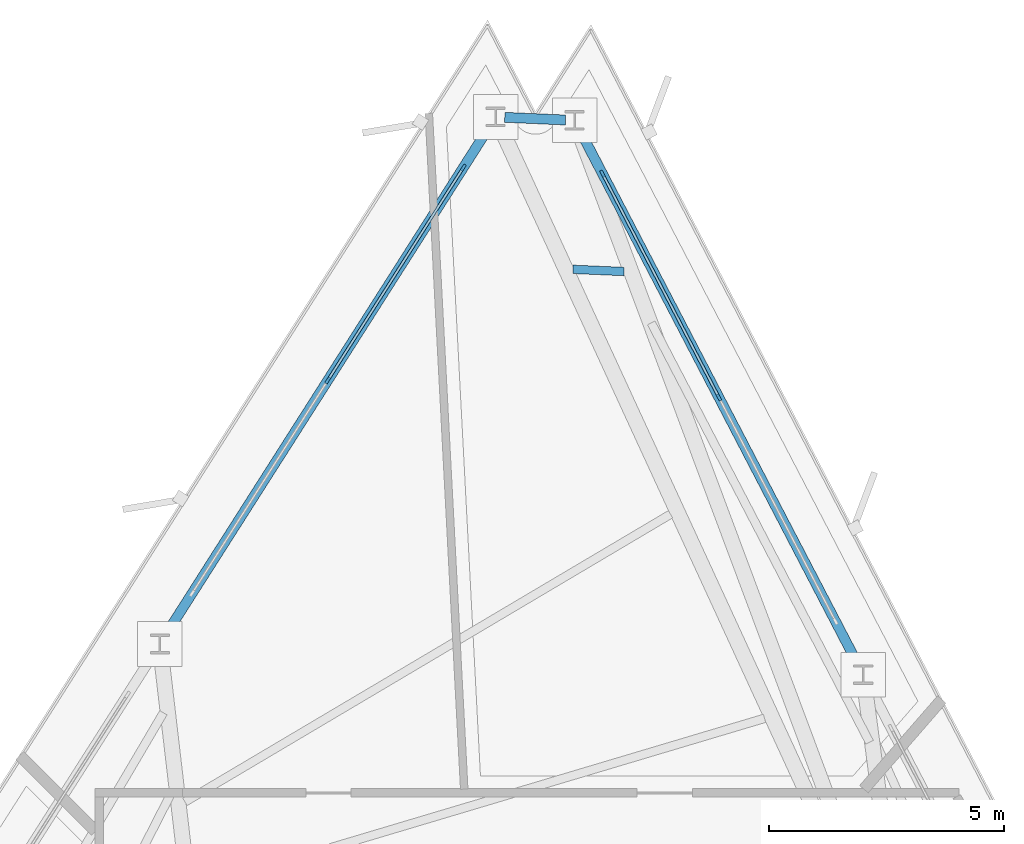
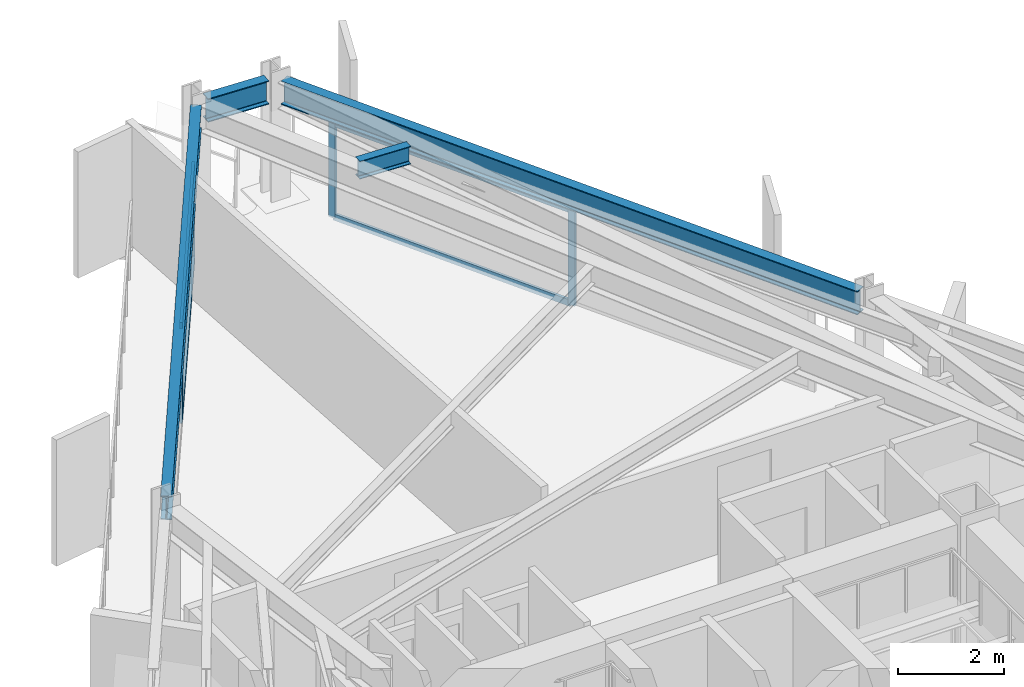
# One storey, part 6 of 12: 8 members, 4 beams, 2 elements without a shape of their own.
"""IFC4 building model written with IfcOpenShell, lengths in metres."""

from ifc_helpers import new_model, si_unit, direction, frame, origin, origin_2d, place, context, subcontext, project, spatial, rectangle, i_section, extrude, material, layer, layer_set, material_profile, profile_set, type_object, element, aggregate, save


model = new_model("IFC4")

# Units and contexts
model_context = context("Model", 3, precision=1e-05, world=origin(), true_north=direction((0.0, 1.0)))
body_context = subcontext(model_context, "Body", "Model", "MODEL_VIEW")
ifc_project = project(units=[si_unit("LENGTHUNIT", "METRE"), si_unit("AREAUNIT", "SQUARE_METRE"), si_unit("VOLUMEUNIT", "CUBIC_METRE"), si_unit("PLANEANGLEUNIT", "RADIAN"), si_unit("MASSUNIT", "GRAM", prefix="KILO")], contexts=[model_context])

# Site, building, storey
site_placement = place(None, origin())
site = spatial("IfcSite", under=ifc_project, at=site_placement, CompositionType="ELEMENT")
building_placement = place(site_placement, origin())
building = spatial("IfcBuilding", under=site, at=building_placement, Name="Rocaltana Carrier Exchange", CompositionType="ELEMENT")
storey_placement = place(building_placement, frame((0.0, 0.0, 125.919921875)))
storey = spatial("IfcBuildingStorey", under=building, at=storey_placement, Name="L39", CompositionType="ELEMENT", Elevation=125.919921875)

# Curtain wall, members
ifc_material_1 = material(Name="Aluminium 6063-T6", Category="aluminium")
ifc_layer = layer(ifc_material_1, 0.14990234375)
ifc_layer_set = layer_set([ifc_layer], Name="Aluminium 6063-T6")
curtain_wall_type = type_object("IfcCurtainWallType", Name="Mid-Tower Unitised Curtain Wall CW-03", PredefinedType="NOTDEFINED", material=ifc_layer_set)
curtain_wall_1_placement = place(storey_placement, origin())
curtain_wall_1 = element("IfcCurtainWall", 1, at=curtain_wall_1_placement, inside=storey, type_object=curtain_wall_type, Name="L39 CW-03 Run CW-L39-F1S3", PredefinedType="NOTDEFINED")
ifc_material_2 = material(Name="Aluminium 6063-T6", Category="aluminium")
ifc_material_profile_1 = material_profile(ifc_material_2, rectangle(XDim=0.06005859375, YDim=0.14990234375, at=origin_2d()), Name="AL-60X150")
ifc_profile_set_1 = profile_set([ifc_material_profile_1], Name="Aluminium 6063-T6")
member_type_1 = type_object("IfcMemberType", Name="CW-03 Mullion AL-60X150", PredefinedType="MULLION", material=ifc_profile_set_1)
member_1_placement = place(storey_placement, frame((4.938232421875, 17.56494140625, 0.0), z_axis=(0.0, 0.0, 1.0), x_axis=(-0.887007955385, -0.461754141383, 0.0)))
member_1 = element("IfcMember", 2, at=member_1_placement, type_object=member_type_1, Name="CW-03 mullion 2", PredefinedType="MULLION", context=body_context, shape_type="SweptSolid", body=[
    extrude(rectangle(XDim=0.06005859375, YDim=0.14990234375, at=origin_2d()), origin(), (0.0, 0.0, 1.0), 2.218017578125),
])
member_2_placement = place(storey_placement, frame((2.458740234375, 22.328125, 0.0), z_axis=(0.0, 0.0, 1.0), x_axis=(-0.887007955385, -0.461754141383, 0.0)))
member_2 = element("IfcMember", 3, at=member_2_placement, type_object=member_type_1, Name="CW-03 mullion 3", PredefinedType="MULLION", context=body_context, shape_type="SweptSolid", body=[
    extrude(rectangle(XDim=0.06005859375, YDim=0.14990234375, at=origin_2d()), origin(), (0.0, 0.0, 1.0), 2.218017578125),
])

curtain_wall_2_placement = place(storey_placement, origin())
curtain_wall_2 = element("IfcCurtainWall", 4, at=curtain_wall_2_placement, inside=storey, type_object=curtain_wall_type, Name="L39 CW-03 Run CW-L39-F2S1", PredefinedType="NOTDEFINED")
member_3_placement = place(storey_placement, frame((-0.50341796875, 22.45751953125, 0.0), z_axis=(0.0, 0.0, 1.0), x_axis=(0.843390685726, -0.537300801443, 0.0)))
member_3 = element("IfcMember", 5, at=member_3_placement, type_object=member_type_1, Name="CW-03 mullion 1", PredefinedType="MULLION", context=body_context, shape_type="SweptSolid", body=[
    extrude(rectangle(XDim=0.06005859375, YDim=0.14990234375, at=origin_2d()), origin(), (0.0, 0.0, 1.0), 2.218017578125),
])
member_4_placement = place(storey_placement, frame((-3.388671875, 17.928466796875, 0.0), z_axis=(0.0, 0.0, 1.0), x_axis=(0.843390685726, -0.537300801443, 0.0)))
member_4 = element("IfcMember", 6, at=member_4_placement, type_object=member_type_1, Name="CW-03 mullion 2", PredefinedType="MULLION", context=body_context, shape_type="SweptSolid", body=[
    extrude(rectangle(XDim=0.06005859375, YDim=0.14990234375, at=origin_2d()), origin(), (0.0, 0.0, 1.0), 2.218017578125),
])

# Member
ifc_material_3 = material(Name="Aluminium 6063-T6", Category="aluminium")
ifc_material_profile_2 = material_profile(ifc_material_3, rectangle(XDim=0.06005859375, YDim=0.14990234375, at=origin_2d()), Name="AL-60X150")
ifc_profile_set_2 = profile_set([ifc_material_profile_2], Name="Aluminium 6063-T6")
member_type_2 = type_object("IfcMemberType", Name="CW-03 Transom AL-60X150", PredefinedType="USERDEFINED", material=ifc_profile_set_2)
member_5_placement = place(storey_placement, frame((4.924560546875, 17.591552734375, 0.030029296875), z_axis=(-0.461756588365, 0.887006681543, 0.0), x_axis=(-0.887006681543, -0.461756588365, 0.0)))
member_5 = element("IfcMember", 7, at=member_5_placement, type_object=member_type_2, Name="CW-03 transom 2.1", ObjectType="TRANSOM", PredefinedType="USERDEFINED", context=body_context, shape_type="SweptSolid", body=[
    extrude(rectangle(XDim=0.06005859375, YDim=0.14990234375, at=origin_2d()), origin(), (0.0, 0.0, 1.0), 5.31005859375),
])

member_6_placement = place(storey_placement, frame((4.924560546875, 17.591552734375, 2.18798828125), z_axis=(-0.461756588365, 0.887006681543, 0.0), x_axis=(-0.887006681543, -0.461756588365, 0.0)))
member_6 = element("IfcMember", 8, at=member_6_placement, type_object=member_type_2, Name="CW-03 transom 2.2", ObjectType="TRANSOM", PredefinedType="USERDEFINED", context=body_context, shape_type="SweptSolid", body=[
    extrude(rectangle(XDim=0.06005859375, YDim=0.14990234375, at=origin_2d()), origin(), (0.0, 0.0, 1.0), 5.31005859375),
])

aggregate(curtain_wall_1, [member_1, member_2, member_5, member_6])

member_7_placement = place(storey_placement, frame((-0.51953125, 22.43212890625, 0.030029296875), z_axis=(-0.537306810176, -0.843386857698, 0.0), x_axis=(0.843386857698, -0.537306810176, 0.0)))
member_7 = element("IfcMember", 9, at=member_7_placement, type_object=member_type_2, Name="CW-03 transom 1.1", ObjectType="TRANSOM", PredefinedType="USERDEFINED", context=body_context, shape_type="SweptSolid", body=[
    extrude(rectangle(XDim=0.06005859375, YDim=0.14990234375, at=origin_2d()), origin(), (0.0, 0.0, 1.0), 5.309814453125),
])

member_8_placement = place(storey_placement, frame((-0.51953125, 22.43212890625, 2.18798828125), z_axis=(-0.537306810176, -0.843386857698, 0.0), x_axis=(0.843386857698, -0.537306810176, 0.0)))
member_8 = element("IfcMember", 10, at=member_8_placement, type_object=member_type_2, Name="CW-03 transom 1.2", ObjectType="TRANSOM", PredefinedType="USERDEFINED", context=body_context, shape_type="SweptSolid", body=[
    extrude(rectangle(XDim=0.06005859375, YDim=0.14990234375, at=origin_2d()), origin(), (0.0, 0.0, 1.0), 5.309814453125),
])

aggregate(curtain_wall_2, [member_3, member_4, member_7, member_8])

# Beams
ifc_material_4 = material(Name="Steel S355", Category="steel")
ifc_material_profile_3 = material_profile(ifc_material_4, i_section(OverallWidth=0.179931640625, OverallDepth=0.4130859375, WebThickness=0.009765625, FlangeThickness=0.01611328125, FilletRadius=0.012939453125, at=origin_2d()), Name="W16X50")
ifc_profile_set_3 = profile_set([ifc_material_profile_3], Name="Steel S355")
beam_type_1 = type_object("IfcBeamType", Name="Floor Joist W16X50", PredefinedType="JOIST", material=ifc_profile_set_3)
beam_1_placement = place(storey_placement, frame((2.915771484375, 20.24658203125, 2.58154296875), z_axis=(-0.999049362551, 0.043593247039, 0.0), x_axis=(-0.043593247039, -0.999049362551, 0.0)))
element("IfcBeam", 11, at=beam_1_placement, inside=storey, type_object=beam_type_1, Name="FJ-L39-04-3", PredefinedType="JOIST", context=body_context, shape_type="SweptSolid", body=[
    extrude(i_section(OverallWidth=0.179931640625, OverallDepth=0.4130859375, WebThickness=0.009765625, FlangeThickness=0.01611328125, FilletRadius=0.012939453125, at=origin_2d()), origin(), (0.0, 0.0, 1.0), 1.08642578125),
])
ifc_material_5 = material(Name="Steel S355", Category="steel")
ifc_material_profile_4 = material_profile(ifc_material_5, i_section(OverallWidth=0.2119140625, OverallDepth=0.5439453125, WebThickness=0.01318359375, FlangeThickness=0.021240234375, FilletRadius=0.014892578125, at=origin_2d()), Name="W21X83")
ifc_profile_set_4 = profile_set([ifc_material_profile_4], Name="Steel S355")
beam_type_2 = type_object("IfcBeamType", Name="Spandrel Edge Beam W21X83", PredefinedType="SPANDREL", material=ifc_profile_set_4)
beam_2_placement = place(storey_placement, frame((7.9189453125, 11.83935546875, 2.51611328125), z_axis=(-0.461753420073, 0.88700833088, 0.0), x_axis=(-0.88700833088, -0.461753420073, 0.0)))
element("IfcBeam", 12, at=beam_2_placement, inside=storey, type_object=beam_type_2, Name="SP-L39-03", PredefinedType="SPANDREL", context=body_context, shape_type="SweptSolid", body=[
    extrude(i_section(OverallWidth=0.2119140625, OverallDepth=0.5439453125, WebThickness=0.01318359375, FlangeThickness=0.021240234375, FilletRadius=0.014892578125, at=origin_2d()), origin(), (0.0, 0.0, 1.0), 12.909912109375),
])
beam_3_placement = place(storey_placement, frame((1.6728515625, 23.471923828125, 2.51611328125), z_axis=(-0.999042950667, 0.043739944245, 0.0), x_axis=(-0.043739944245, -0.999042950667, 0.0)))
element("IfcBeam", 13, at=beam_3_placement, inside=storey, type_object=beam_type_2, Name="SP-L39-04", PredefinedType="SPANDREL", context=body_context, shape_type="SweptSolid", body=[
    extrude(i_section(OverallWidth=0.2119140625, OverallDepth=0.5439453125, WebThickness=0.01318359375, FlangeThickness=0.021240234375, FilletRadius=0.014892578125, at=origin_2d()), origin(), (0.0, 0.0, 1.0), 1.294921875),
])
beam_4_placement = place(storey_placement, frame((0.07958984375, 23.37255859375, 2.51611328125), z_axis=(-0.537298808094, -0.84339195563, 0.0), x_axis=(0.84339195563, -0.537298808094, 0.0)))
element("IfcBeam", 14, at=beam_4_placement, inside=storey, type_object=beam_type_2, Name="SP-L39-05", PredefinedType="SPANDREL", context=body_context, shape_type="SweptSolid", body=[
    extrude(i_section(OverallWidth=0.2119140625, OverallDepth=0.5439453125, WebThickness=0.01318359375, FlangeThickness=0.021240234375, FilletRadius=0.014892578125, at=origin_2d()), origin(), (0.0, 0.0, 1.0), 12.909912109375),
])

save(model, "model.ifc")
